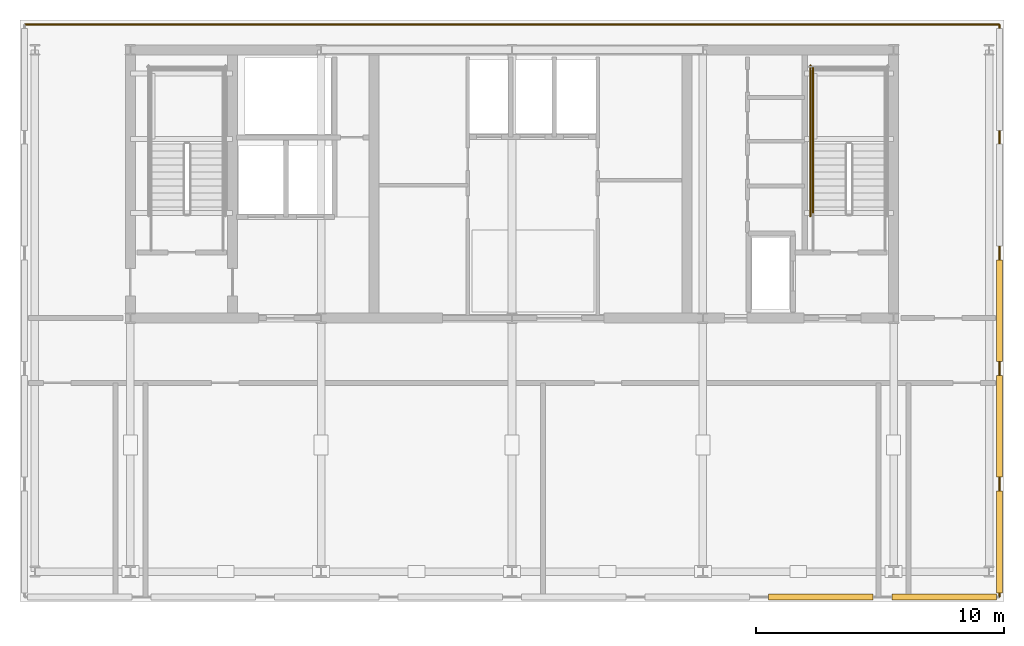
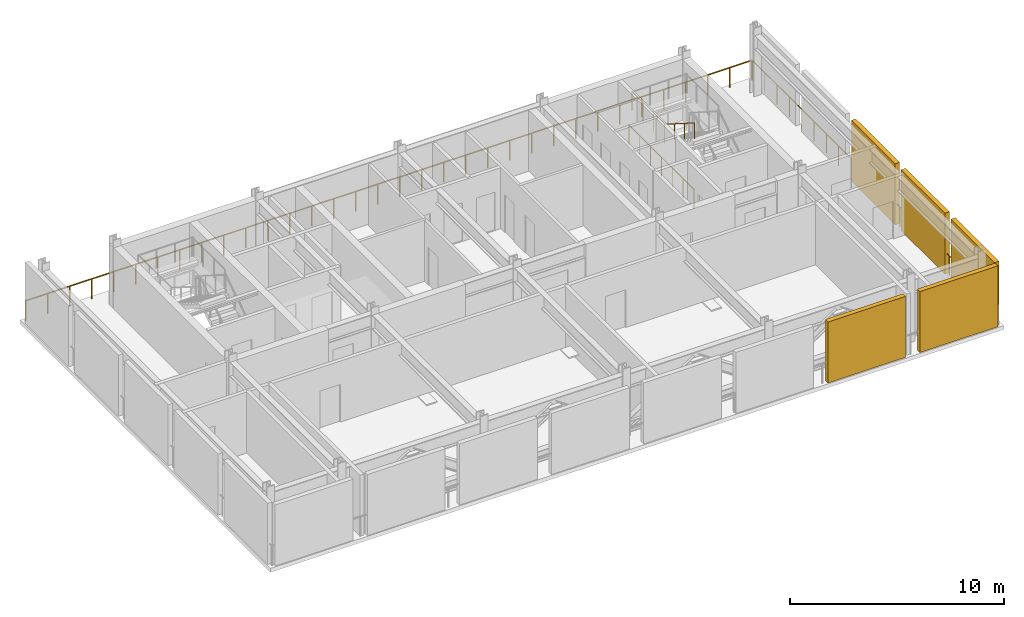
# One storey, part 7 of 8: 5 railings, 5 shading devices.
"""IFC4 building model written with IfcOpenShell, lengths in metres."""

from ifc_helpers import new_model, si_unit, direction, frame, origin, origin_2d, place, context, subcontext, project, spatial, rectangle, circle, extrude, material, layer, layer_set, type_object, element, save


model = new_model("IFC4")

# Units and contexts
model_context = context("Model", 3, precision=1e-05, world=origin(), true_north=direction((0.0, 1.0)))
body_context = subcontext(model_context, "Body", "Model", "MODEL_VIEW")
ifc_project = project(units=[si_unit("LENGTHUNIT", "METRE"), si_unit("AREAUNIT", "SQUARE_METRE"), si_unit("VOLUMEUNIT", "CUBIC_METRE"), si_unit("PLANEANGLEUNIT", "RADIAN"), si_unit("MASSUNIT", "GRAM", prefix="KILO")], contexts=[model_context])

# Site, building, storey
site_placement = place(None, origin())
site = spatial("IfcSite", under=ifc_project, at=site_placement, CompositionType="ELEMENT")
building_placement = place(site_placement, origin())
building = spatial("IfcBuilding", under=site, at=building_placement, Name="Yelkora Congress Tower", CompositionType="ELEMENT")
storey_placement = place(building_placement, frame((0.0, 0.0, 251.300048828125)))
storey = spatial("IfcBuildingStorey", under=building, at=storey_placement, Name="L70", CompositionType="ELEMENT", Elevation=251.300048828125)

# Railings
ifc_material_1 = material(Name="Stainless steel 316L and laminated glass infill", Category="steel")
ifc_layer_1 = layer(ifc_material_1, 0.080078125)
ifc_layer_set_1 = layer_set([ifc_layer_1], Name="Stainless steel 316L and laminated glass infill")
railing_type_1 = type_object("IfcRailingType", Name="RAIL-EXT-GUARD-1150", PredefinedType="GUARDRAIL", material=ifc_layer_set_1)
railing_1_placement = place(storey_placement, frame((58.02001953125, 24.199951171875, 0.0)))
element("IfcRailing", 1, at=railing_1_placement, inside=storey, type_object=railing_type_1, Name="L70 Wind-Floor Perimeter Guardrail E", PredefinedType="GUARDRAIL", context=body_context, shape_type="SweptSolid", body=[
    extrude(circle(Radius=0.02392578125, at=origin_2d()), frame((0.0, 0.0, 1.1259765625), z_axis=(0.0, 1.0, 0.0), x_axis=(-1.0, 0.0, 0.0)), (0.0, 0.0, 1.0), 23.0),
    extrude(circle(Radius=0.02099609375, at=origin_2d()), origin(), (0.0, 0.0, 1.0), 1.101806640625),
    extrude(circle(Radius=0.02099609375, at=origin_2d()), frame((0.0, 1.14990234375, 0.0)), (0.0, 0.0, 1.0), 1.101806640625),
    extrude(circle(Radius=0.02099609375, at=origin_2d()), frame((0.0, 2.300048828125, 0.0)), (0.0, 0.0, 1.0), 1.101806640625),
    extrude(circle(Radius=0.02099609375, at=origin_2d()), frame((0.0, 3.449951171875, 0.0)), (0.0, 0.0, 1.0), 1.101806640625),
    extrude(circle(Radius=0.02099609375, at=origin_2d()), frame((0.0, 4.60009765625, 0.0)), (0.0, 0.0, 1.0), 1.101806640625),
    extrude(circle(Radius=0.02099609375, at=origin_2d()), frame((0.0, 5.75, 0.0)), (0.0, 0.0, 1.0), 1.101806640625),
    extrude(circle(Radius=0.02099609375, at=origin_2d()), frame((0.0, 6.89990234375, 0.0)), (0.0, 0.0, 1.0), 1.101806640625),
    extrude(circle(Radius=0.02099609375, at=origin_2d()), frame((0.0, 8.050048828125, 0.0)), (0.0, 0.0, 1.0), 1.101806640625),
    extrude(circle(Radius=0.02099609375, at=origin_2d()), frame((0.0, 9.199951171875, 0.0)), (0.0, 0.0, 1.0), 1.101806640625),
    extrude(circle(Radius=0.02099609375, at=origin_2d()), frame((0.0, 10.35009765625, 0.0)), (0.0, 0.0, 1.0), 1.101806640625),
    extrude(circle(Radius=0.02099609375, at=origin_2d()), frame((0.0, 11.5, 0.0)), (0.0, 0.0, 1.0), 1.101806640625),
    extrude(circle(Radius=0.02099609375, at=origin_2d()), frame((0.0, 12.64990234375, 0.0)), (0.0, 0.0, 1.0), 1.101806640625),
    extrude(circle(Radius=0.02099609375, at=origin_2d()), frame((0.0, 13.800048828125, 0.0)), (0.0, 0.0, 1.0), 1.101806640625),
    extrude(circle(Radius=0.02099609375, at=origin_2d()), frame((0.0, 14.949951171875, 0.0)), (0.0, 0.0, 1.0), 1.101806640625),
    extrude(circle(Radius=0.02099609375, at=origin_2d()), frame((0.0, 16.10009765625, 0.0)), (0.0, 0.0, 1.0), 1.101806640625),
    extrude(circle(Radius=0.02099609375, at=origin_2d()), frame((0.0, 17.25, 0.0)), (0.0, 0.0, 1.0), 1.101806640625),
    extrude(circle(Radius=0.02099609375, at=origin_2d()), frame((0.0, 18.39990234375, 0.0)), (0.0, 0.0, 1.0), 1.101806640625),
    extrude(circle(Radius=0.02099609375, at=origin_2d()), frame((0.0, 19.550048828125, 0.0)), (0.0, 0.0, 1.0), 1.101806640625),
    extrude(circle(Radius=0.02099609375, at=origin_2d()), frame((0.0, 20.699951171875, 0.0)), (0.0, 0.0, 1.0), 1.101806640625),
    extrude(circle(Radius=0.02099609375, at=origin_2d()), frame((0.0, 21.85009765625, 0.0)), (0.0, 0.0, 1.0), 1.101806640625),
    extrude(circle(Radius=0.02099609375, at=origin_2d()), frame((0.0, 23.0, 0.0)), (0.0, 0.0, 1.0), 1.101806640625),
])
railing_2_placement = place(storey_placement, frame((18.800048828125, 47.219970703125, 0.0)))
element("IfcRailing", 2, at=railing_2_placement, inside=storey, type_object=railing_type_1, Name="L70 North Perimeter Guardrail", PredefinedType="GUARDRAIL", context=body_context, shape_type="SweptSolid", body=[
    extrude(circle(Radius=0.02392578125, at=origin_2d()), frame((0.0, 0.0, 1.1259765625), z_axis=(1.0, 0.0, 0.0), x_axis=(0.0, 1.0, 0.0)), (0.0, 0.0, 1.0), 39.199951171875),
    extrude(circle(Radius=0.02099609375, at=origin_2d()), origin(), (0.0, 0.0, 1.0), 1.101806640625),
    extrude(circle(Radius=0.02099609375, at=origin_2d()), frame((1.18798828125, 0.0, 0.0)), (0.0, 0.0, 1.0), 1.101806640625),
    extrude(circle(Radius=0.02099609375, at=origin_2d()), frame((2.375732421875, 0.0, 0.0)), (0.0, 0.0, 1.0), 1.101806640625),
    extrude(circle(Radius=0.02099609375, at=origin_2d()), frame((3.563720703125, 0.0, 0.0)), (0.0, 0.0, 1.0), 1.101806640625),
    extrude(circle(Radius=0.02099609375, at=origin_2d()), frame((4.75146484375, 0.0, 0.0)), (0.0, 0.0, 1.0), 1.101806640625),
    extrude(circle(Radius=0.02099609375, at=origin_2d()), frame((5.939453125, 0.0, 0.0)), (0.0, 0.0, 1.0), 1.101806640625),
    extrude(circle(Radius=0.02099609375, at=origin_2d()), frame((7.127197265625, 0.0, 0.0)), (0.0, 0.0, 1.0), 1.101806640625),
    extrude(circle(Radius=0.02099609375, at=origin_2d()), frame((8.315185546875, 0.0, 0.0)), (0.0, 0.0, 1.0), 1.101806640625),
    extrude(circle(Radius=0.02099609375, at=origin_2d()), frame((9.5029296875, 0.0, 0.0)), (0.0, 0.0, 1.0), 1.101806640625),
    extrude(circle(Radius=0.02099609375, at=origin_2d()), frame((10.69091796875, 0.0, 0.0)), (0.0, 0.0, 1.0), 1.101806640625),
    extrude(circle(Radius=0.02099609375, at=origin_2d()), frame((11.878662109375, 0.0, 0.0)), (0.0, 0.0, 1.0), 1.101806640625),
    extrude(circle(Radius=0.02099609375, at=origin_2d()), frame((13.066650390625, 0.0, 0.0)), (0.0, 0.0, 1.0), 1.101806640625),
    extrude(circle(Radius=0.02099609375, at=origin_2d()), frame((14.254638671875, 0.0, 0.0)), (0.0, 0.0, 1.0), 1.101806640625),
    extrude(circle(Radius=0.02099609375, at=origin_2d()), frame((15.4423828125, 0.0, 0.0)), (0.0, 0.0, 1.0), 1.101806640625),
    extrude(circle(Radius=0.02099609375, at=origin_2d()), frame((16.63037109375, 0.0, 0.0)), (0.0, 0.0, 1.0), 1.101806640625),
    extrude(circle(Radius=0.02099609375, at=origin_2d()), frame((17.818115234375, 0.0, 0.0)), (0.0, 0.0, 1.0), 1.101806640625),
    extrude(circle(Radius=0.02099609375, at=origin_2d()), frame((19.006103515625, 0.0, 0.0)), (0.0, 0.0, 1.0), 1.101806640625),
    extrude(circle(Radius=0.02099609375, at=origin_2d()), frame((20.19384765625, 0.0, 0.0)), (0.0, 0.0, 1.0), 1.101806640625),
    extrude(circle(Radius=0.02099609375, at=origin_2d()), frame((21.3818359375, 0.0, 0.0)), (0.0, 0.0, 1.0), 1.101806640625),
    extrude(circle(Radius=0.02099609375, at=origin_2d()), frame((22.569580078125, 0.0, 0.0)), (0.0, 0.0, 1.0), 1.101806640625),
    extrude(circle(Radius=0.02099609375, at=origin_2d()), frame((23.757568359375, 0.0, 0.0)), (0.0, 0.0, 1.0), 1.101806640625),
    extrude(circle(Radius=0.02099609375, at=origin_2d()), frame((24.9453125, 0.0, 0.0)), (0.0, 0.0, 1.0), 1.101806640625),
    extrude(circle(Radius=0.02099609375, at=origin_2d()), frame((26.13330078125, 0.0, 0.0)), (0.0, 0.0, 1.0), 1.101806640625),
    extrude(circle(Radius=0.02099609375, at=origin_2d()), frame((27.3212890625, 0.0, 0.0)), (0.0, 0.0, 1.0), 1.101806640625),
    extrude(circle(Radius=0.02099609375, at=origin_2d()), frame((28.509033203125, 0.0, 0.0)), (0.0, 0.0, 1.0), 1.101806640625),
    extrude(circle(Radius=0.02099609375, at=origin_2d()), frame((29.697021484375, 0.0, 0.0)), (0.0, 0.0, 1.0), 1.101806640625),
    extrude(circle(Radius=0.02099609375, at=origin_2d()), frame((30.884765625, 0.0, 0.0)), (0.0, 0.0, 1.0), 1.101806640625),
    extrude(circle(Radius=0.02099609375, at=origin_2d()), frame((32.07275390625, 0.0, 0.0)), (0.0, 0.0, 1.0), 1.101806640625),
    extrude(circle(Radius=0.02099609375, at=origin_2d()), frame((33.260498046875, 0.0, 0.0)), (0.0, 0.0, 1.0), 1.101806640625),
    extrude(circle(Radius=0.02099609375, at=origin_2d()), frame((34.448486328125, 0.0, 0.0)), (0.0, 0.0, 1.0), 1.101806640625),
    extrude(circle(Radius=0.02099609375, at=origin_2d()), frame((35.63623046875, 0.0, 0.0)), (0.0, 0.0, 1.0), 1.101806640625),
    extrude(circle(Radius=0.02099609375, at=origin_2d()), frame((36.82421875, 0.0, 0.0)), (0.0, 0.0, 1.0), 1.101806640625),
    extrude(circle(Radius=0.02099609375, at=origin_2d()), frame((38.011962890625, 0.0, 0.0)), (0.0, 0.0, 1.0), 1.101806640625),
    extrude(circle(Radius=0.02099609375, at=origin_2d()), frame((39.199951171875, 0.0, 0.0)), (0.0, 0.0, 1.0), 1.101806640625),
])
ifc_material_2 = material(Name="Painted galvanised steel stair well guard with vertical infill", Category="steel")
ifc_layer_2 = layer(ifc_material_2, 0.06005859375)
ifc_layer_set_2 = layer_set([ifc_layer_2], Name="Painted galvanised steel stair well guard with vertical infill")
railing_type_2 = type_object("IfcRailingType", Name="RAIL-STAIR-GUARD-1120", PredefinedType="GUARDRAIL", material=ifc_layer_set_2)
railing_3_placement = place(storey_placement, frame((50.510009765625, 42.39990234375, 1.949951171875)))
element("IfcRailing", 3, at=railing_3_placement, inside=storey, type_object=railing_type_2, Name="ST-02 L70 Stair Well Guardrail 4", PredefinedType="GUARDRAIL", context=body_context, shape_type="SweptSolid", body=[
    extrude(circle(Radius=0.02392578125, at=origin_2d()), frame((0.0, 0.0, 1.09619140625), z_axis=(0.0, 1.0, 0.0), x_axis=(-1.0, 0.0, 0.0)), (0.0, 0.0, 1.0), 3.070068359375),
    extrude(circle(Radius=0.02099609375, at=origin_2d()), origin(), (0.0, 0.0, 1.0), 1.072021484375),
    extrude(circle(Radius=0.02099609375, at=origin_2d()), frame((0.0, 1.0234375, 0.0)), (0.0, 0.0, 1.0), 1.072021484375),
    extrude(circle(Radius=0.02099609375, at=origin_2d()), frame((0.0, 2.046630859375, 0.0)), (0.0, 0.0, 1.0), 1.072021484375),
    extrude(circle(Radius=0.02099609375, at=origin_2d()), frame((0.0, 3.070068359375, 0.0)), (0.0, 0.0, 1.0), 1.072021484375),
])
railing_4_placement = place(storey_placement, frame((50.409912109375, 39.5, 0.0)))
element("IfcRailing", 4, at=railing_4_placement, inside=storey, type_object=railing_type_2, Name="ST-02 L70 Stair Well Guardrail 11", PredefinedType="GUARDRAIL", context=body_context, shape_type="SweptSolid", body=[
    extrude(circle(Radius=0.02392578125, at=origin_2d()), frame((0.0, 0.0, 1.09619140625), z_axis=(0.0, 1.0, 0.0), x_axis=(-1.0, 0.0, 0.0)), (0.0, 0.0, 1.0), 6.070068359375),
    extrude(circle(Radius=0.02099609375, at=origin_2d()), origin(), (0.0, 0.0, 1.0), 1.072021484375),
    extrude(circle(Radius=0.02099609375, at=origin_2d()), frame((0.0, 1.01171875, 0.0)), (0.0, 0.0, 1.0), 1.072021484375),
    extrude(circle(Radius=0.02099609375, at=origin_2d()), frame((0.0, 2.0234375, 0.0)), (0.0, 0.0, 1.0), 1.072021484375),
    extrude(circle(Radius=0.02099609375, at=origin_2d()), frame((0.0, 3.03515625, 0.0)), (0.0, 0.0, 1.0), 1.072021484375),
    extrude(circle(Radius=0.02099609375, at=origin_2d()), frame((0.0, 4.046630859375, 0.0)), (0.0, 0.0, 1.0), 1.072021484375),
    extrude(circle(Radius=0.02099609375, at=origin_2d()), frame((0.0, 5.058349609375, 0.0)), (0.0, 0.0, 1.0), 1.072021484375),
    extrude(circle(Radius=0.02099609375, at=origin_2d()), frame((0.0, 6.070068359375, 0.0)), (0.0, 0.0, 1.0), 1.072021484375),
])
ifc_material_3 = material(Name="Brushed stainless steel tubular handrail", Category="steel")
ifc_layer_3 = layer(ifc_material_3, 0.050048828125)
ifc_layer_set_3 = layer_set([ifc_layer_3], Name="Brushed stainless steel tubular handrail")
railing_type_3 = type_object("IfcRailingType", Name="RAIL-STAIR-HAND-920", PredefinedType="HANDRAIL", material=ifc_layer_set_3)
railing_5_placement = place(storey_placement, frame((50.510009765625, 42.39990234375, 2.127197265625)))
element("IfcRailing", 5, at=railing_5_placement, inside=storey, type_object=railing_type_3, Name="ST-02 L70 Pitch Handrail 2", PredefinedType="HANDRAIL", context=body_context, shape_type="SweptSolid", body=[
    extrude(circle(Radius=0.02392578125, at=origin_2d()), frame((0.0, 0.0, 0.89599609375), z_axis=(0.0, -0.844887892834, 0.53494340686), x_axis=(1.0, 0.0, 0.0)), (0.0, 0.0, 1.0), 3.313720703125),
    extrude(circle(Radius=0.02099609375, at=origin_2d()), origin(), (0.0, 0.0, 1.0), 0.871826171875),
    extrude(circle(Radius=0.02099609375, at=origin_2d()), frame((0.0, -0.933349609375, 0.5908203125)), (0.0, 0.0, 1.0), 0.871826171875),
    extrude(circle(Radius=0.02099609375, at=origin_2d()), frame((0.0, -1.866455078125, 1.181884765625)), (0.0, 0.0, 1.0), 0.871826171875),
    extrude(circle(Radius=0.02099609375, at=origin_2d()), frame((0.0, -2.7998046875, 1.772705078125)), (0.0, 0.0, 1.0), 0.871826171875),
])

# Shading devices
ifc_material_4 = material(Name="Perforated anodised aluminium louvre", Category="aluminium")
ifc_layer_4 = layer(ifc_material_4, 3.39990234375)
ifc_layer_set_4 = layer_set([ifc_layer_4], Name="Perforated anodised aluminium louvre")
shading_device_type = type_object("IfcShadingDeviceType", Name="SHD-LOUVRE-WIND", PredefinedType="JALOUSIE", material=ifc_layer_set_4)
for number, where, z_axis, x_axis, name in (
    (6, (58.02001953125, 26.39990234375, 0.0), (0.0, 0.0, 1.0), (1.0, 0.0, 0.0), "L70 Acoustic Wind-Floor Louvre Screen E1"),
    (7, (58.02001953125, 31.050048828125, 0.0), (0.0, 0.0, 1.0), (1.0, 0.0, 0.0), "L70 Acoustic Wind-Floor Louvre Screen E2"),
    (8, (58.02001953125, 35.699951171875, 0.0), (0.0, 0.0, 1.0), (1.0, 0.0, 0.0), "L70 Acoustic Wind-Floor Louvre Screen E3"),
):
    element("IfcShadingDevice", number, at=place(storey_placement, frame(where, z_axis=z_axis, x_axis=x_axis)), inside=storey, type_object=shading_device_type, Name=name, PredefinedType="JALOUSIE", context=body_context, shape_type="SweptSolid", body=[
        extrude(rectangle(XDim=0.239990234375, YDim=4.10009765625, at=origin_2d()), origin(), (0.0, 0.0, 1.0), 3.47998046875),
    ])
for number, where, z_axis, x_axis, name in (
    (9, (50.82861328125, 24.179931640625, 0.0), (0.0, 0.0, 1.0), (1.0, 0.0, 0.0), "L70 South Blow-Through Wind Louvre 7"),
    (10, (55.800048828125, 24.179931640625, 0.0), (0.0, 0.0, 1.0), (1.0, 0.0, 0.0), "L70 South Blow-Through Wind Louvre 8"),
):
    element("IfcShadingDevice", number, at=place(storey_placement, frame(where, z_axis=z_axis, x_axis=x_axis)), inside=storey, type_object=shading_device_type, Name=name, PredefinedType="JALOUSIE", context=body_context, shape_type="SweptSolid", body=[
        extrude(rectangle(XDim=4.199951171875, YDim=0.239990234375, at=origin_2d()), origin(), (0.0, 0.0, 1.0), 3.47998046875),
    ])

save(model, "model.ifc")
